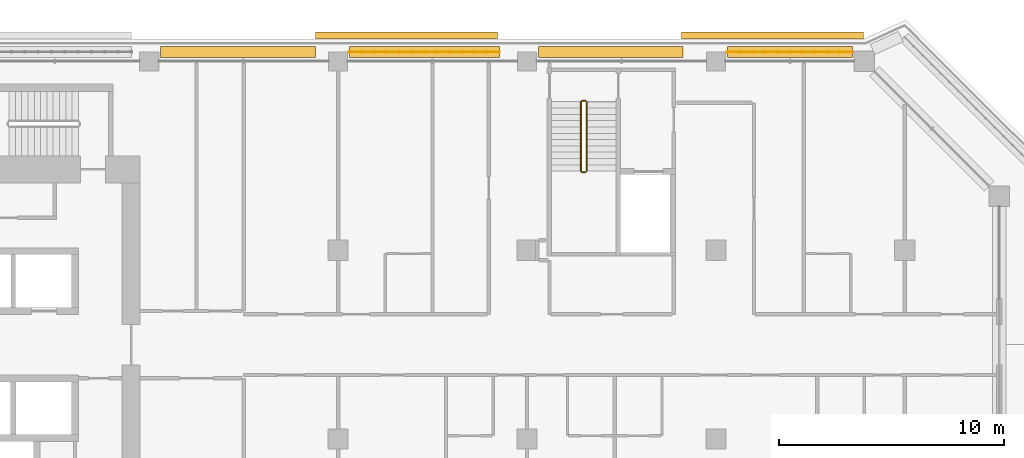
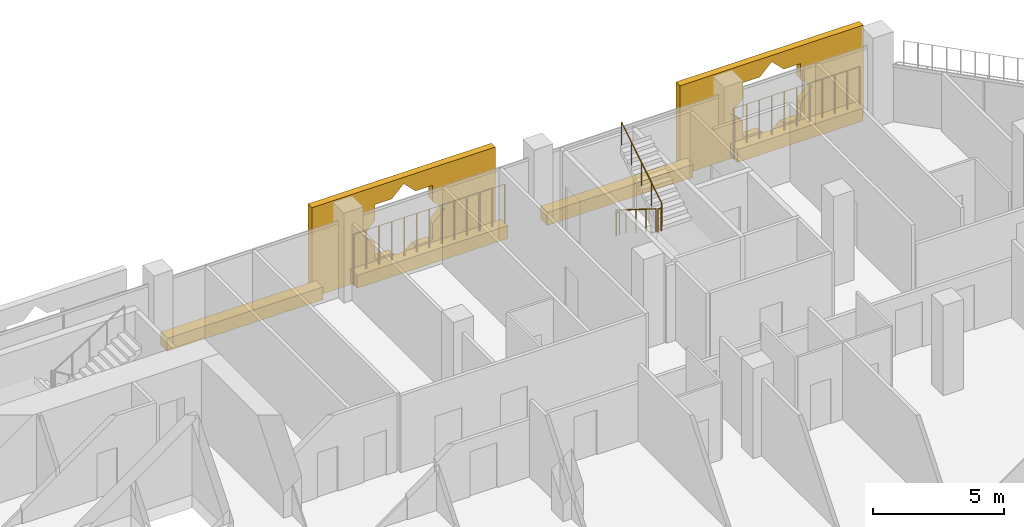
# One storey, part 21 of 22: 6 coverings, 6 railings.
"""IFC4 building model written with IfcOpenShell, lengths in metres."""

import ifcopenshell
import ifcopenshell.guid

model = None  # the IFC model being written
_history = None  # IfcOwnerHistory: only IFC2X3 demands one
_inside = {}  # id of a spatial element -> (the spatial element, [elements in it])
_under = {}  # id of a project, library or spatial element -> (it, [spatial elements below it])
_declared = {}  # id of a project -> (the project, [libraries it declares])
_typed = {}  # id of a type object -> (the type object, [elements of that type])
_made_of = {}  # id of a material, layer set ... -> (it, [elements and type objects made of it])


def new_model(schema):
    """Start an empty IFC model of exactly this schema.

    Asked for "IFC4X3", IfcOpenShell would pick the latest addendum, in which some entities
    have other attributes; the version numbers below select the first issue.
    IFC2X3 requires an IfcOwnerHistory on every rooted entity: one is made here for all.
    """
    global model, _history
    if schema == "IFC4X3":
        model = ifcopenshell.file(schema_version=(4, 3, 0, 0))
    else:
        model = ifcopenshell.file(schema=schema)
    _inside.clear()
    _under.clear()
    _declared.clear()
    _typed.clear()
    _made_of.clear()
    _history = None
    if model.schema == "IFC2X3":
        org = make("IfcOrganization", Name="unknown")
        user = make(
            "IfcPersonAndOrganization",
            ThePerson=make("IfcPerson", FamilyName="unknown"),
            TheOrganization=org,
        )
        app = make(
            "IfcApplication",
            ApplicationDeveloper=org,
            Version="unknown",
            ApplicationFullName="unknown",
            ApplicationIdentifier="unknown",
        )
        _history = make(
            "IfcOwnerHistory",
            OwningUser=user,
            OwningApplication=app,
            ChangeAction="ADDED",
            CreationDate=0,
        )
    return model


def make(cls, **values):
    """One entity of the class cls with the attributes given. An attribute that is None is left unset."""
    return model.create_entity(
        cls, **{name: value for name, value in values.items() if value is not None}
    )


def rooted(cls, **values):
    """An entity with a GlobalId (a new one), such as an element, a storey or a relation."""
    return make(cls, GlobalId=ifcopenshell.guid.new(), OwnerHistory=_history, **values)


def si_unit(unit_type, name, prefix=None):
    """IfcSIUnit, for example si_unit("LENGTHUNIT", "METRE", prefix="MILLI")."""
    return make("IfcSIUnit", UnitType=unit_type, Prefix=prefix, Name=name)


def assignment(units):
    """IfcUnitAssignment: the units of a project."""
    return None if units is None else make("IfcUnitAssignment", Units=units)


def point(xyz):
    """IfcCartesianPoint."""
    return None if xyz is None else make("IfcCartesianPoint", Coordinates=xyz)


def direction(xyz):
    """IfcDirection."""
    return None if xyz is None else make("IfcDirection", DirectionRatios=xyz)


def frame(location, z_axis=None, x_axis=None):
    """IfcAxis2Placement3D, a coordinate frame: its origin and axes. An axis left out is left unset."""
    return make(
        "IfcAxis2Placement3D",
        Location=point(location),
        Axis=direction(z_axis),
        RefDirection=direction(x_axis),
    )


def frame_2d(location, x_axis=None):
    """IfcAxis2Placement2D, a coordinate frame in the plane: its origin and x axis."""
    return make(
        "IfcAxis2Placement2D", Location=point(location), RefDirection=direction(x_axis)
    )


def origin():
    """The frame at (0, 0, 0) with its axes left unset."""
    return frame((0.0, 0.0, 0.0))


def origin_2d():
    """The frame at (0, 0) in the plane with its x axis left unset."""
    return frame_2d((0.0, 0.0))


def place(relative_to, where):
    """IfcLocalPlacement: puts the frame where relative to a parent placement (None: the world)."""
    return make(
        "IfcLocalPlacement", PlacementRelTo=relative_to, RelativePlacement=where
    )


def context(
    kind, dimensions, precision=None, world=None, true_north=None, identifier=None
):
    """IfcGeometricRepresentationContext, for example the 3D "Model" context."""
    return make(
        "IfcGeometricRepresentationContext",
        ContextIdentifier=identifier,
        ContextType=kind,
        CoordinateSpaceDimension=dimensions,
        Precision=precision,
        WorldCoordinateSystem=world,
        TrueNorth=true_north,
    )


def subcontext(parent, identifier, kind, view, scale=None):
    """IfcGeometricRepresentationSubContext, for example "Body" below "Model"."""
    return make(
        "IfcGeometricRepresentationSubContext",
        ContextIdentifier=identifier,
        ContextType=kind,
        ParentContext=parent,
        TargetScale=scale,
        TargetView=view,
    )


def project(units=None, contexts=None):
    """IfcProject with its units and contexts."""
    return rooted(
        "IfcProject",
        Name="project",
        RepresentationContexts=contexts,
        UnitsInContext=assignment(units),
    )


def spatial(cls, under=None, at=None, **own):
    """A site, building, storey or space (cls), placed at a placement, below another one or the project."""
    s = rooted(cls, ObjectPlacement=at, **own)
    if under is not None:
        _under.setdefault(under.id(), (under, []))[1].append(s)
    return s


def polyline(points):
    """IfcPolyline through the points."""
    return make("IfcPolyline", Points=[point(p) for p in points])


def profile(cls, at=None, kind="AREA", **sizes):
    """A parametric profile (cls). Its sizes go by their IFC names, for example OverallWidth=200.0."""
    return make(cls, ProfileType=kind, Position=at, **sizes)


def rectangle(**sizes):
    """IfcRectangleProfileDef."""
    return profile("IfcRectangleProfileDef", **sizes)


def circle(**sizes):
    """IfcCircleProfileDef."""
    return profile("IfcCircleProfileDef", **sizes)


def outline(outer, holes=None, kind="AREA"):
    """IfcArbitraryClosedProfileDef: a profile drawn as a closed curve; with holes, ...WithVoids."""
    if holes is None:
        return make("IfcArbitraryClosedProfileDef", ProfileType=kind, OuterCurve=outer)
    return make(
        "IfcArbitraryProfileDefWithVoids",
        ProfileType=kind,
        OuterCurve=outer,
        InnerCurves=holes,
    )


def extrude(swept, where, along, depth):
    """IfcExtrudedAreaSolid: the profile swept, set in the frame where, extruded along a direction by depth."""
    return make(
        "IfcExtrudedAreaSolid",
        SweptArea=swept,
        Position=where,
        ExtrudedDirection=direction(along),
        Depth=depth,
    )


def shape(context_of_items, identifier, shape_type, items):
    """IfcShapeRepresentation: the items that make up one representation, for example the "Body"."""
    return make(
        "IfcShapeRepresentation",
        ContextOfItems=context_of_items,
        RepresentationIdentifier=identifier,
        RepresentationType=shape_type,
        Items=items,
    )


def material(Name=None, Category=None):
    """IfcMaterial."""
    return make("IfcMaterial", Name=Name, Category=Category)


def material_profile(
    of_material, cross_section, Name=None, Category=None, Priority=None
):
    """IfcMaterialProfile: a cross section and its material."""
    return make(
        "IfcMaterialProfile",
        Name=Name,
        Material=of_material,
        Profile=cross_section,
        Priority=Priority,
        Category=Category,
    )


def profile_set(profiles, Name=None, composite=None):
    """IfcMaterialProfileSet."""
    return make(
        "IfcMaterialProfileSet",
        Name=Name,
        MaterialProfiles=profiles,
        CompositeProfile=composite,
    )


def made_of(thing, what):
    """Note that an element or type object is made of a material, layer set ...; save() writes the relation."""
    if what is not None:
        _made_of.setdefault(what.id(), (what, []))[1].append(thing)
    return thing


def type_object(cls, material=None, **own):
    """A type object (cls), such as IfcWallType, which elements share."""
    return made_of(rooted(cls, **own), material)


def element(
    cls,
    number,
    at=None,
    inside=None,
    cuts=None,
    type_object=None,
    material=None,
    context=None,
    identifier="Body",
    shape_type=None,
    held_by="IfcProductDefinitionShape",
    body=None,
    shapes=None,
    **own,
):
    """One element of the class cls, such as IfcWall. Its Tag is "e" and its number.

    at: its placement. inside: the storey or other place that contains it. cuts: it is an
    opening in that element (IfcRelVoidsElement). A single representation is given by context,
    identifier, shape_type and body (its items); several are given by shapes. held_by: the class
    of the entity that holds the representations. save() writes the other relations.
    """
    e = rooted(cls, Tag="e%d" % number, ObjectPlacement=at, **own)
    if body is not None:
        shapes = [shape(context, identifier, shape_type, body)]
    if shapes is not None:
        e.Representation = make(held_by, Representations=shapes)
    if inside is not None:
        _inside.setdefault(inside.id(), (inside, []))[1].append(e)
    if cuts is not None:
        rooted(
            "IfcRelVoidsElement", RelatingBuildingElement=cuts, RelatedOpeningElement=e
        )
    if type_object is not None:
        _typed.setdefault(type_object.id(), (type_object, []))[1].append(e)
    return made_of(e, material)


def aggregate(whole, parts):
    """IfcRelAggregates: a whole, such as a stair, and the parts it consists of."""
    return rooted("IfcRelAggregates", RelatingObject=whole, RelatedObjects=parts)


def save(model, path):
    """Write the relations noted so far, then the file.

    IfcRelAggregates (storeys below a building ...), IfcRelContainedInSpatialStructure (elements
    in a storey), IfcRelDefinesByType, IfcRelAssociatesMaterial and IfcRelDeclares: one each for
    every whole, place, type object, material and project.
    """
    for whole, parts in _under.values():
        aggregate(whole, parts)
    for where, things in _inside.values():
        rooted(
            "IfcRelContainedInSpatialStructure",
            RelatedElements=things,
            RelatingStructure=where,
        )
    for kind, things in _typed.values():
        rooted("IfcRelDefinesByType", RelatedObjects=things, RelatingType=kind)
    for what, things in _made_of.values():
        rooted("IfcRelAssociatesMaterial", RelatedObjects=things, RelatingMaterial=what)
    for by, libraries in _declared.values():
        rooted("IfcRelDeclares", RelatingContext=by, RelatedDefinitions=libraries)
    model.write(path)


model = new_model("IFC4")

# Units and contexts
model_context = context("Model", 3, precision=1e-05, world=origin(), true_north=direction((0.0, 1.0)))
body_context = subcontext(model_context, "Body", "Model", "MODEL_VIEW")
ifc_project = project(units=[si_unit("LENGTHUNIT", "METRE"), si_unit("AREAUNIT", "SQUARE_METRE"), si_unit("VOLUMEUNIT", "CUBIC_METRE"), si_unit("PLANEANGLEUNIT", "RADIAN"), si_unit("MASSUNIT", "GRAM", prefix="KILO")], contexts=[model_context])

# Site, building, storey
site_placement = place(None, origin())
site = spatial("IfcSite", under=ifc_project, at=site_placement, CompositionType="ELEMENT")
building_placement = place(site_placement, origin())
building = spatial("IfcBuilding", under=site, at=building_placement, Name="Kawkab Arch Medical Tower", CompositionType="ELEMENT")
storey_placement = place(building_placement, frame((0.0, 0.0, 251.60009765625)))
storey = spatial("IfcBuildingStorey", under=building, at=storey_placement, Name="L58", CompositionType="ELEMENT", Elevation=251.60009765625)

# Coverings
ifc_material_1 = material(Name="Bronze anodised aluminium mashrabiya panel, eight-point star pattern", Category="aluminium")
ifc_material_profile_1 = material_profile(ifc_material_1, outline(polyline([(-4.050048828125, -2.10009765625), (4.050048828125, -2.10009765625), (4.050048828125, 2.10009765625), (-4.050048828125, 2.10009765625), (-4.050048828125, -2.10009765625)]), holes=[polyline([(1.800048828125, 0.0), (1.272705078125, 0.527099609375), (1.272705078125, 1.272705078125), (0.527099609375, 1.272705078125), (0.0, 1.800048828125), (-0.527099609375, 1.272705078125), (-1.272705078125, 1.272705078125), (-1.272705078125, 0.527099609375), (-1.800048828125, 0.0), (-1.272705078125, -0.527099609375), (-1.272705078125, -1.272705078125), (-0.527099609375, -1.272705078125), (0.0, -1.800048828125), (0.527099609375, -1.272705078125), (1.272705078125, -1.272705078125), (1.272705078125, -0.527099609375), (1.800048828125, 0.0)])]), Name="Mashrabiya panel 8100x4200")
ifc_profile_set_1 = profile_set([ifc_material_profile_1], Name="Bronze anodised aluminium mashrabiya panel, eight-point star pattern")
covering_type_1 = type_object("IfcCoveringType", Name="Mashrabiya panel 8100 x 4200", PredefinedType="USERDEFINED", material=ifc_profile_set_1)
for number, where, z_axis, x_axis, name in (
    (1, (36.6435546875, 1.0, 1.699951171875), (0.0, 1.0, 0.0), (-1.0, 0.0, 0.0), "Mashrabiya panel L58.LOG-01-01.7"),
    (2, (52.910400390625, 1.0, 1.699951171875), (0.0, 1.0, 0.0), (-1.0, 0.0, 0.0), "Mashrabiya panel L58.LOG-01-01.8"),
):
    element("IfcCovering", number, at=place(storey_placement, frame(where, z_axis=z_axis, x_axis=x_axis)), inside=storey, type_object=covering_type_1, Name=name, ObjectType="SCREEN", PredefinedType="USERDEFINED", context=body_context, shape_type="SweptSolid", body=[
        extrude(outline(polyline([(-4.050048828125, -2.10009765625), (4.050048828125, -2.10009765625), (4.050048828125, 2.10009765625), (-4.050048828125, 2.10009765625), (-4.050048828125, -2.10009765625)]), holes=[polyline([(1.800048828125, 0.0), (1.272705078125, 0.527099609375), (1.272705078125, 1.272705078125), (0.527099609375, 1.272705078125), (0.0, 1.800048828125), (-0.527099609375, 1.272705078125), (-1.272705078125, 1.272705078125), (-1.272705078125, 0.527099609375), (-1.800048828125, 0.0), (-1.272705078125, -0.527099609375), (-1.272705078125, -1.272705078125), (-0.527099609375, -1.272705078125), (0.0, -1.800048828125), (0.527099609375, -1.272705078125), (1.272705078125, -1.272705078125), (1.272705078125, -0.527099609375), (1.800048828125, 0.0)])]), origin(), (0.0, 0.0, 1.0), 0.300048828125),
    ])
ifc_material_2 = material(Name="Planting soil in a precast trough", Category="concrete")
ifc_material_profile_2 = material_profile(ifc_material_2, rectangle(XDim=0.5, YDim=0.60009765625, at=origin_2d()), Name="Trough 500x600")
ifc_profile_set_2 = profile_set([ifc_material_profile_2], Name="Planting soil in a precast trough")
covering_type_2 = type_object("IfcCoveringType", Name="Planter trough 500 x 600", PredefinedType="USERDEFINED", material=ifc_profile_set_2)
covering_1_placement = place(storey_placement, frame((25.705078125, 0.419921875, 0.2998046875), z_axis=(1.0, 0.0, 0.0), x_axis=(0.0, 1.0, 0.0)))
element("IfcCovering", 3, at=covering_1_placement, inside=storey, type_object=covering_type_2, Name="Planter L58.LOG-01-01.20", ObjectType="PLANTER", PredefinedType="USERDEFINED", context=body_context, shape_type="SweptSolid", body=[
    extrude(rectangle(XDim=0.5, YDim=0.60009765625, at=origin_2d()), origin(), (0.0, 0.0, 1.0), 6.884033203125),
])
covering_2_placement = place(storey_placement, frame((34.10498046875, 0.419921875, 0.2998046875), z_axis=(1.0, 0.0, 0.0), x_axis=(0.0, 1.0, 0.0)))
element("IfcCovering", 4, at=covering_2_placement, inside=storey, type_object=covering_type_2, Name="Planter L58.LOG-01-01.21", ObjectType="PLANTER", PredefinedType="USERDEFINED", context=body_context, shape_type="SweptSolid", body=[
    extrude(rectangle(XDim=0.5, YDim=0.60009765625, at=origin_2d()), origin(), (0.0, 0.0, 1.0), 6.6630859375),
])
covering_3_placement = place(storey_placement, frame((42.5048828125, 0.419921875, 0.2998046875), z_axis=(1.0, 0.0, 0.0), x_axis=(0.0, 1.0, 0.0)))
element("IfcCovering", 5, at=covering_3_placement, inside=storey, type_object=covering_type_2, Name="Planter L58.LOG-01-01.22", ObjectType="PLANTER", PredefinedType="USERDEFINED", context=body_context, shape_type="SweptSolid", body=[
    extrude(rectangle(XDim=0.5, YDim=0.60009765625, at=origin_2d()), origin(), (0.0, 0.0, 1.0), 6.442138671875),
])
covering_4_placement = place(storey_placement, frame((50.905029296875, 0.419921875, 0.2998046875), z_axis=(1.0, 0.0, 0.0), x_axis=(0.0, 1.0, 0.0)))
element("IfcCovering", 6, at=covering_4_placement, inside=storey, type_object=covering_type_2, Name="Planter L58.LOG-01-01.23", ObjectType="PLANTER", PredefinedType="USERDEFINED", context=body_context, shape_type="SweptSolid", body=[
    extrude(rectangle(XDim=0.5, YDim=0.60009765625, at=origin_2d()), origin(), (0.0, 0.0, 1.0), 5.56494140625),
])

# Railings
ifc_material_3 = material(Name="Bronze anodised aluminium trellis for climbing plants", Category="aluminium")
railing_type_1 = type_object("IfcRailingType", Name="Planting trellis 2400", PredefinedType="USERDEFINED", material=ifc_material_3)
railing_1_placement = place(storey_placement, frame((34.10498046875, 0.419921875, 0.0)))
element("IfcRailing", 7, at=railing_1_placement, inside=storey, type_object=railing_type_1, Name="Planting trellis L58.LOG-01-01.21", ObjectType="TRELLIS", PredefinedType="USERDEFINED", context=body_context, shape_type="SweptSolid", body=[
    extrude(circle(Radius=0.01513671875, at=origin_2d()), frame((0.0, 0.0, 2.384765625), z_axis=(1.0, 0.0, 0.0), x_axis=(0.0, 1.0, 0.0)), (0.0, 0.0, 1.0), 6.6630859375),
    extrude(circle(Radius=0.030029296875, at=origin_2d()), origin(), (0.0, 0.0, 1.0), 2.369873046875),
    extrude(circle(Radius=0.030029296875, at=origin_2d()), frame((0.55517578125, 0.0, 0.0)), (0.0, 0.0, 1.0), 2.369873046875),
    extrude(circle(Radius=0.030029296875, at=origin_2d()), frame((1.110595703125, 0.0, 0.0)), (0.0, 0.0, 1.0), 2.369873046875),
    extrude(circle(Radius=0.030029296875, at=origin_2d()), frame((1.665771484375, 0.0, 0.0)), (0.0, 0.0, 1.0), 2.369873046875),
    extrude(circle(Radius=0.030029296875, at=origin_2d()), frame((2.220947265625, 0.0, 0.0)), (0.0, 0.0, 1.0), 2.369873046875),
    extrude(circle(Radius=0.030029296875, at=origin_2d()), frame((2.7763671875, 0.0, 0.0)), (0.0, 0.0, 1.0), 2.369873046875),
    extrude(circle(Radius=0.030029296875, at=origin_2d()), frame((3.33154296875, 0.0, 0.0)), (0.0, 0.0, 1.0), 2.369873046875),
    extrude(circle(Radius=0.030029296875, at=origin_2d()), frame((3.88671875, 0.0, 0.0)), (0.0, 0.0, 1.0), 2.369873046875),
    extrude(circle(Radius=0.030029296875, at=origin_2d()), frame((4.442138671875, 0.0, 0.0)), (0.0, 0.0, 1.0), 2.369873046875),
    extrude(circle(Radius=0.030029296875, at=origin_2d()), frame((4.997314453125, 0.0, 0.0)), (0.0, 0.0, 1.0), 2.369873046875),
    extrude(circle(Radius=0.030029296875, at=origin_2d()), frame((5.552490234375, 0.0, 0.0)), (0.0, 0.0, 1.0), 2.369873046875),
    extrude(circle(Radius=0.030029296875, at=origin_2d()), frame((6.10791015625, 0.0, 0.0)), (0.0, 0.0, 1.0), 2.369873046875),
    extrude(circle(Radius=0.030029296875, at=origin_2d()), frame((6.6630859375, 0.0, 0.0)), (0.0, 0.0, 1.0), 2.369873046875),
])
railing_2_placement = place(storey_placement, frame((50.905029296875, 0.419921875, 0.0)))
element("IfcRailing", 8, at=railing_2_placement, inside=storey, type_object=railing_type_1, Name="Planting trellis L58.LOG-01-01.23", ObjectType="TRELLIS", PredefinedType="USERDEFINED", context=body_context, shape_type="SweptSolid", body=[
    extrude(circle(Radius=0.01513671875, at=origin_2d()), frame((0.0, 0.0, 2.384765625), z_axis=(1.0, 0.0, 0.0), x_axis=(0.0, 1.0, 0.0)), (0.0, 0.0, 1.0), 5.56494140625),
    extrude(circle(Radius=0.030029296875, at=origin_2d()), origin(), (0.0, 0.0, 1.0), 2.369873046875),
    extrude(circle(Radius=0.030029296875, at=origin_2d()), frame((0.556396484375, 0.0, 0.0)), (0.0, 0.0, 1.0), 2.369873046875),
    extrude(circle(Radius=0.030029296875, at=origin_2d()), frame((1.113037109375, 0.0, 0.0)), (0.0, 0.0, 1.0), 2.369873046875),
    extrude(circle(Radius=0.030029296875, at=origin_2d()), frame((1.66943359375, 0.0, 0.0)), (0.0, 0.0, 1.0), 2.369873046875),
    extrude(circle(Radius=0.030029296875, at=origin_2d()), frame((2.22607421875, 0.0, 0.0)), (0.0, 0.0, 1.0), 2.369873046875),
    extrude(circle(Radius=0.030029296875, at=origin_2d()), frame((2.782470703125, 0.0, 0.0)), (0.0, 0.0, 1.0), 2.369873046875),
    extrude(circle(Radius=0.030029296875, at=origin_2d()), frame((3.3388671875, 0.0, 0.0)), (0.0, 0.0, 1.0), 2.369873046875),
    extrude(circle(Radius=0.030029296875, at=origin_2d()), frame((3.8955078125, 0.0, 0.0)), (0.0, 0.0, 1.0), 2.369873046875),
    extrude(circle(Radius=0.030029296875, at=origin_2d()), frame((4.451904296875, 0.0, 0.0)), (0.0, 0.0, 1.0), 2.369873046875),
    extrude(circle(Radius=0.030029296875, at=origin_2d()), frame((5.008544921875, 0.0, 0.0)), (0.0, 0.0, 1.0), 2.369873046875),
    extrude(circle(Radius=0.030029296875, at=origin_2d()), frame((5.56494140625, 0.0, 0.0)), (0.0, 0.0, 1.0), 2.369873046875),
])
ifc_material_4 = material(Name="Stainless steel", Category="steel")
railing_type_2 = type_object("IfcRailingType", Name="Stair guard 1100", PredefinedType="GUARDRAIL", material=ifc_material_4)
railing_3_placement = place(storey_placement, frame((44.39990234375, -1.800048828125, 0.1748046875)))
element("IfcRailing", 9, at=railing_3_placement, inside=storey, type_object=railing_type_2, Name="L58 ST5 stair guard 1", PredefinedType="GUARDRAIL", context=body_context, shape_type="SweptSolid", body=[
    extrude(circle(Radius=0.02392578125, at=origin_2d()), frame((0.0, 0.0, 1.076171875), z_axis=(0.0, -0.847979421464, 0.530029150871), x_axis=(1.0, 0.0, 0.0)), (0.0, 0.0, 1.0), 3.632080078125),
    extrude(circle(Radius=0.02099609375, at=origin_2d()), origin(), (0.0, 0.0, 1.0), 1.052001953125),
    extrude(circle(Radius=0.02099609375, at=origin_2d()), frame((0.0, -0.77001953125, 0.481201171875)), (0.0, 0.0, 1.0), 1.052001953125),
    extrude(circle(Radius=0.02099609375, at=origin_2d()), frame((0.0, -1.5400390625, 0.96240234375)), (0.0, 0.0, 1.0), 1.052001953125),
    extrude(circle(Radius=0.02099609375, at=origin_2d()), frame((0.0, -2.309814453125, 1.44384765625)), (0.0, 0.0, 1.0), 1.052001953125),
    extrude(circle(Radius=0.02099609375, at=origin_2d()), frame((0.0, -3.079833984375, 1.925048828125)), (0.0, 0.0, 1.0), 1.052001953125),
])
railing_4_placement = place(storey_placement, frame((44.449951171875, -4.929931640625, 2.099853515625)))
element("IfcRailing", 10, at=railing_4_placement, inside=storey, type_object=railing_type_2, Name="L58 ST5 stair guard 2", PredefinedType="GUARDRAIL", context=body_context, shape_type="SweptSolid", body=[
    extrude(circle(Radius=0.02392578125, at=origin_2d()), frame((0.0, 0.0, 1.076171875), z_axis=(1.0, 0.0, 0.0), x_axis=(0.0, 1.0, 0.0)), (0.0, 0.0, 1.0), 0.150146484375),
    extrude(circle(Radius=0.02099609375, at=origin_2d()), origin(), (0.0, 0.0, 1.0), 1.052001953125),
    extrude(circle(Radius=0.02099609375, at=origin_2d()), frame((0.150146484375, 0.0, 0.0)), (0.0, 0.0, 1.0), 1.052001953125),
])
railing_5_placement = place(storey_placement, frame((44.64990234375, -4.8798828125, 2.27490234375)))
element("IfcRailing", 11, at=railing_5_placement, inside=storey, type_object=railing_type_2, Name="L58 ST5 stair guard 3", PredefinedType="GUARDRAIL", context=body_context, shape_type="SweptSolid", body=[
    extrude(circle(Radius=0.02392578125, at=origin_2d()), frame((0.0, 0.0, 1.076171875), z_axis=(0.0, 0.847979421464, 0.530029150871), x_axis=(-1.0, 0.0, 0.0)), (0.0, 0.0, 1.0), 3.632080078125),
    extrude(circle(Radius=0.02099609375, at=origin_2d()), origin(), (0.0, 0.0, 1.0), 1.052001953125),
    extrude(circle(Radius=0.02099609375, at=origin_2d()), frame((0.0, 0.77001953125, 0.481201171875)), (0.0, 0.0, 1.0), 1.052001953125),
    extrude(circle(Radius=0.02099609375, at=origin_2d()), frame((0.0, 1.5400390625, 0.96240234375)), (0.0, 0.0, 1.0), 1.052001953125),
    extrude(circle(Radius=0.02099609375, at=origin_2d()), frame((0.0, 2.309814453125, 1.44384765625)), (0.0, 0.0, 1.0), 1.052001953125),
    extrude(circle(Radius=0.02099609375, at=origin_2d()), frame((0.0, 3.079833984375, 1.925048828125)), (0.0, 0.0, 1.0), 1.052001953125),
])
railing_6_placement = place(storey_placement, frame((44.449951171875, -1.75, 0.0)))
element("IfcRailing", 12, at=railing_6_placement, inside=storey, type_object=railing_type_2, Name="L58 ST5 stair guard 4", PredefinedType="GUARDRAIL", context=body_context, shape_type="SweptSolid", body=[
    extrude(circle(Radius=0.02392578125, at=origin_2d()), frame((0.0, 0.0, 1.076171875), z_axis=(1.0, 0.0, 0.0), x_axis=(0.0, 1.0, 0.0)), (0.0, 0.0, 1.0), 0.150146484375),
    extrude(circle(Radius=0.02099609375, at=origin_2d()), origin(), (0.0, 0.0, 1.0), 1.052001953125),
    extrude(circle(Radius=0.02099609375, at=origin_2d()), frame((0.150146484375, 0.0, 0.0)), (0.0, 0.0, 1.0), 1.052001953125),
])

save(model, "model.ifc")
